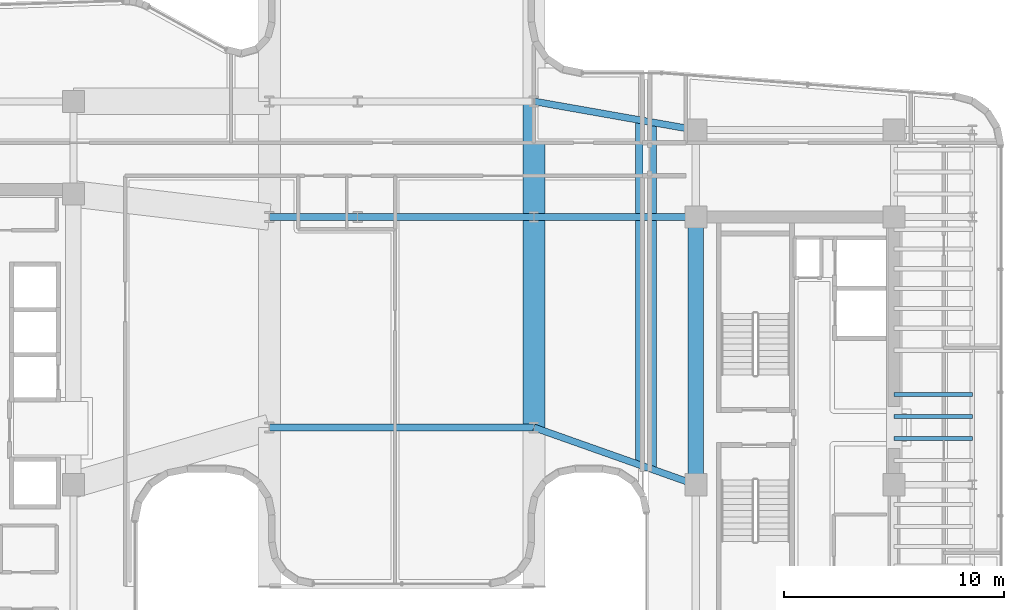
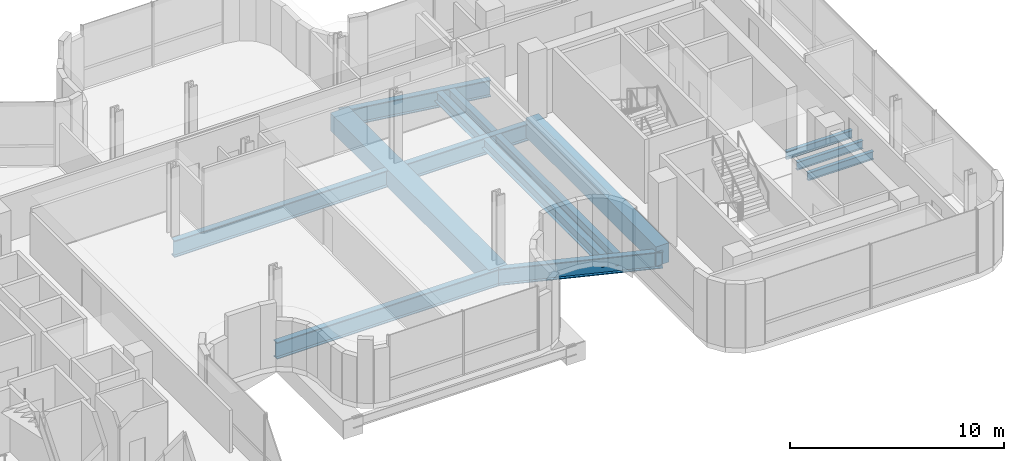
# One storey, part 14 of 37: 12 beams.
"""IFC4 building model written with IfcOpenShell, lengths in metres."""

from ifc_helpers import new_model, si_unit, direction, frame, origin, origin_2d, place, context, subcontext, project, spatial, rectangle, hollow_rectangle, i_section, extrude, source, transform, mapped, material, material_profile, profile_set, type_object, element, save


model = new_model("IFC4")

# Units and contexts
model_context = context("Model", 3, precision=1e-05, world=origin(), true_north=direction((0.0, 1.0)))
body_context = subcontext(model_context, "Body", "Model", "MODEL_VIEW")
ifc_project = project(units=[si_unit("LENGTHUNIT", "METRE"), si_unit("AREAUNIT", "SQUARE_METRE"), si_unit("VOLUMEUNIT", "CUBIC_METRE"), si_unit("PLANEANGLEUNIT", "RADIAN"), si_unit("MASSUNIT", "GRAM", prefix="KILO")], contexts=[model_context])

# Site, building, storey
site_placement = place(None, origin())
site = spatial("IfcSite", under=ifc_project, at=site_placement, CompositionType="ELEMENT")
building_placement = place(site_placement, origin())
building = spatial("IfcBuilding", under=site, at=building_placement, Name="Valdorenza Pilgrim Sanctuary Tower", CompositionType="ELEMENT")
storey_placement = place(building_placement, frame((0.0, 0.0, 188.39990234375)))
storey = spatial("IfcBuildingStorey", under=building, at=storey_placement, Name="L48", CompositionType="ELEMENT", Elevation=188.39990234375)

# Beams
ifc_material_1 = material(Name="Concrete C50/60", Category="concrete")
ifc_material_profile_1 = material_profile(ifc_material_1, rectangle(XDim=0.699951171875, YDim=1.10009765625, at=origin_2d()), Name="RC 1100x700")
ifc_profile_set_1 = profile_set([ifc_material_profile_1], Name="Concrete C50/60")
beam_type_1 = type_object("IfcBeamType", Name="STR-BM-LNT-1100", PredefinedType="LINTEL", material=ifc_profile_set_1)
shared_shape_1 = source(origin(), body_context, "Body", "SweptSolid", [
    extrude(rectangle(XDim=0.699951171875, YDim=1.10009765625, at=origin_2d()), origin(), (0.0, 0.0, 1.0), 12.150146484375),
])
beam_1_placement = place(storey_placement, frame((15.85009765625, -2.60009765625, -0.58984375), z_axis=(0.0, 1.0, 0.0), x_axis=(-1.0, 0.0, 0.0)))
element("IfcBeam", 1, at=beam_1_placement, inside=storey, type_object=beam_type_1, Name="L48 Core B West Coupling Lintel Girder", PredefinedType="LINTEL", context=body_context, shape_type="MappedRepresentation", body=[
    mapped(shared_shape_1, transform((0.0, 0.0, 0.0), x_axis=(1.0, 0.0, 0.0), y_axis=(0.0, 1.0, 0.0), z_axis=(0.0, 0.0, 1.0), scale=1.0)),
])
ifc_material_2 = material(Name="Steel ASTM A992 Grade 50", Category="steel")
ifc_material_profile_2 = material_profile(ifc_material_2, i_section(OverallWidth=0.19091796875, OverallDepth=0.45703125, WebThickness=0.009033203125, FlangeThickness=0.014404296875, at=origin_2d()), Name="W18X50")
ifc_profile_set_2 = profile_set([ifc_material_profile_2], Name="Steel ASTM A992 Grade 50")
beam_type_2 = type_object("IfcBeamType", Name="STR-BM-JST-W18B", PredefinedType="JOIST", material=ifc_profile_set_2)
shared_shape_2 = source(origin(), body_context, "Body", "SweptSolid", [
    extrude(i_section(OverallWidth=0.19091796875, OverallDepth=0.45703125, WebThickness=0.009033203125, FlangeThickness=0.014404296875, at=origin_2d()), origin(), (0.0, 0.0, 1.0), 3.5498046875),
])
for number, where, z_axis, x_axis, name in (
    (2, (24.85009765625, -0.5, -0.54833984375), (1.0, 0.0, 0.0), (0.0, 1.0, 0.0), "L48 Composite Floor Joist JST-WB-9"),
    (3, (24.85009765625, 0.5, -0.54833984375), (1.0, 0.0, 0.0), (0.0, 1.0, 0.0), "L48 Composite Floor Joist JST-WB-10"),
    (4, (24.85009765625, 1.5, -0.54833984375), (1.0, 0.0, 0.0), (0.0, 1.0, 0.0), "L48 Composite Floor Joist JST-WB-11"),
):
    element("IfcBeam", number, at=place(storey_placement, frame(where, z_axis=z_axis, x_axis=x_axis)), inside=storey, type_object=beam_type_2, Name=name, PredefinedType="JOIST", context=body_context, shape_type="MappedRepresentation", body=[
        mapped(shared_shape_2, transform((0.0, 0.0, 0.0), x_axis=(1.0, 0.0, 0.0), y_axis=(0.0, 1.0, 0.0), z_axis=(0.0, 0.0, 1.0), scale=1.0)),
    ])
ifc_material_profile_3 = material_profile(ifc_material_2, i_section(OverallWidth=0.323974609375, OverallDepth=0.611083984375, WebThickness=0.0126953125, FlangeThickness=0.01904296875, at=origin_2d()), Name="W24X104")
ifc_profile_set_3 = profile_set([ifc_material_profile_3], Name="Steel ASTM A992 Grade 50")
beam_type_3 = type_object("IfcBeamType", Name="STR-BM-GRD-W24B", PredefinedType="BEAM", material=ifc_profile_set_3)
shared_shape_3 = source(origin(), body_context, "Body", "SweptSolid", [
    extrude(i_section(OverallWidth=0.323974609375, OverallDepth=0.611083984375, WebThickness=0.0126953125, FlangeThickness=0.01904296875, at=origin_2d()), origin(), (0.0, 0.0, 1.0), 15.639892578125),
])
beam_2_placement = place(storey_placement, frame((13.280029296875, -1.68994140625, -0.62548828125), z_axis=(0.0, 1.0, 0.0), x_axis=(-1.0, 0.0, 0.0)))
element("IfcBeam", 5, at=beam_2_placement, inside=storey, type_object=beam_type_3, Name="L48 Bridge Joint Edge Header PRY-JNT-W", PredefinedType="BEAM", context=body_context, shape_type="MappedRepresentation", body=[
    mapped(shared_shape_3, transform((0.0, 0.0, 0.0), x_axis=(1.0, 0.0, 0.0), y_axis=(0.0, 1.0, 0.0), z_axis=(0.0, 0.0, 1.0), scale=1.0)),
])
shared_shape_4 = source(origin(), body_context, "Body", "SweptSolid", [
    extrude(i_section(OverallWidth=0.323974609375, OverallDepth=0.611083984375, WebThickness=0.0126953125, FlangeThickness=0.01904296875, at=origin_2d()), origin(), (0.0, 0.0, 1.0), 15.75),
])
beam_3_placement = place(storey_placement, frame((13.89990234375, -1.909912109375, -0.62548828125), z_axis=(0.0, 1.0, 0.0), x_axis=(-1.0, 0.0, 0.0)))
element("IfcBeam", 6, at=beam_3_placement, inside=storey, type_object=beam_type_3, Name="L48 Wing B Joint Edge Header PRY-JNT-E", PredefinedType="BEAM", context=body_context, shape_type="MappedRepresentation", body=[
    mapped(shared_shape_4, transform((0.0, 0.0, 0.0), x_axis=(1.0, 0.0, 0.0), y_axis=(0.0, 1.0, 0.0), z_axis=(0.0, 0.0, 1.0), scale=1.0)),
])
ifc_material_3 = material(Name="Steel ASTM A572 Grade 42", Category="steel")
ifc_material_profile_4 = material_profile(ifc_material_3, hollow_rectangle(XDim=1.0, YDim=1.0, WallThickness=0.080078125, at=origin_2d()), Name="BOX 1000x1000x80")
ifc_profile_set_4 = profile_set([ifc_material_profile_4], Name="Steel ASTM A572 Grade 42")
beam_type_4 = type_object("IfcBeamType", Name="STR-BM-PROW-CANT", PredefinedType="BEAM", material=ifc_profile_set_4)
shared_shape_5 = source(origin(), body_context, "Body", "SweptSolid", [
    extrude(hollow_rectangle(XDim=1.0, YDim=1.0, WallThickness=0.080078125, at=origin_2d()), origin(), (0.0, 0.0, 1.0), 14.800048828125),
])
beam_4_placement = place(storey_placement, frame((8.5, 0.0, -0.81982421875), z_axis=(0.0, 1.0, 0.0), x_axis=(-1.0, 0.0, 0.0)))
element("IfcBeam", 7, at=beam_4_placement, inside=storey, type_object=beam_type_4, Name="L48 Sanctuary Backspan Girder PROW-BACK-N-E", PredefinedType="BEAM", context=body_context, shape_type="MappedRepresentation", body=[
    mapped(shared_shape_5, transform((0.0, 0.0, 0.0), x_axis=(1.0, 0.0, 0.0), y_axis=(0.0, 1.0, 0.0), z_axis=(0.0, 0.0, 1.0), scale=1.0)),
])
ifc_material_profile_5 = material_profile(ifc_material_2, i_section(OverallWidth=0.31005859375, OverallDepth=0.949951171875, WebThickness=0.0244140625, FlangeThickness=0.0439453125, at=origin_2d()), Name="W36X256")
ifc_profile_set_5 = profile_set([ifc_material_profile_5], Name="Steel ASTM A992 Grade 50")
beam_type_5 = type_object("IfcBeamType", Name="STR-BM-GRD-W36B", PredefinedType="BEAM", material=ifc_profile_set_5)
shared_shape_6 = source(origin(), body_context, "Body", "SweptSolid", [
    extrude(i_section(OverallWidth=0.31005859375, OverallDepth=0.949951171875, WebThickness=0.0244140625, FlangeThickness=0.0439453125, at=origin_2d()), origin(), (0.0, 0.0, 1.0), 12.0),
])
for number, where, z_axis, x_axis, name in (
    (8, (-3.5, 0.0, -0.794921875), (1.0, 0.0, 0.0), (0.0, 1.0, 0.0), "L48 Portal Bridge Span Girder PRY-G2-P0"),
    (9, (-3.5, 9.550048828125, -0.794921875), (1.0, 0.0, 0.0), (0.0, 1.0, 0.0), "L48 Portal Bridge Span Girder PRY-G2-P9"),
):
    element("IfcBeam", number, at=place(storey_placement, frame(where, z_axis=z_axis, x_axis=x_axis)), inside=storey, type_object=beam_type_5, Name=name, PredefinedType="BEAM", context=body_context, shape_type="MappedRepresentation", body=[
        mapped(shared_shape_6, transform((0.0, 0.0, 0.0), x_axis=(1.0, 0.0, 0.0), y_axis=(0.0, 1.0, 0.0), z_axis=(0.0, 0.0, 1.0), scale=1.0)),
    ])
shared_shape_7 = source(origin(), body_context, "Body", "SweptSolid", [
    extrude(i_section(OverallWidth=0.31005859375, OverallDepth=0.949951171875, WebThickness=0.0244140625, FlangeThickness=0.0439453125, at=origin_2d()), origin(), (0.0, 0.0, 1.0), 7.79638671875),
])
beam_5_placement = place(storey_placement, frame((8.5, 0.0, -0.794921875), z_axis=(0.942750751534, -0.333498156641, 0.0), x_axis=(0.333498156641, 0.942750751534, 0.0)))
element("IfcBeam", 10, at=beam_5_placement, inside=storey, type_object=beam_type_5, Name="L48 Portal Bridge East Seat Girder PRY-G3-P0", PredefinedType="BEAM", context=body_context, shape_type="MappedRepresentation", body=[
    mapped(shared_shape_7, transform((0.0, 0.0, 0.0), x_axis=(1.0, 0.0, 0.0), y_axis=(0.0, 1.0, 0.0), z_axis=(0.0, 0.0, 1.0), scale=1.0)),
])
shared_shape_8 = source(origin(), body_context, "Body", "SweptSolid", [
    extrude(i_section(OverallWidth=0.31005859375, OverallDepth=0.949951171875, WebThickness=0.0244140625, FlangeThickness=0.0439453125, at=origin_2d()), origin(), (0.0, 0.0, 1.0), 7.35009765625),
])
beam_6_placement = place(storey_placement, frame((8.5, 9.550048828125, -0.794921875), z_axis=(1.0, 0.0, 0.0), x_axis=(0.0, 1.0, 0.0)))
element("IfcBeam", 11, at=beam_6_placement, inside=storey, type_object=beam_type_5, Name="L48 Portal Bridge East Seat Girder PRY-G3-P9", PredefinedType="BEAM", context=body_context, shape_type="MappedRepresentation", body=[
    mapped(shared_shape_8, transform((0.0, 0.0, 0.0), x_axis=(1.0, 0.0, 0.0), y_axis=(0.0, 1.0, 0.0), z_axis=(0.0, 0.0, 1.0), scale=1.0)),
])
shared_shape_9 = source(origin(), body_context, "Body", "SweptSolid", [
    extrude(i_section(OverallWidth=0.31005859375, OverallDepth=0.949951171875, WebThickness=0.0244140625, FlangeThickness=0.0439453125, at=origin_2d()), origin(), (0.0, 0.0, 1.0), 7.464111328125),
])
beam_7_placement = place(storey_placement, frame((8.5, 14.800048828125, -0.794921875), z_axis=(0.984715322541, -0.17417156356, 0.0), x_axis=(0.17417156356, 0.984715322541, 0.0)))
element("IfcBeam", 12, at=beam_7_placement, inside=storey, type_object=beam_type_5, Name="L48 Portal Bridge East Seat Girder PRY-G3-P14", PredefinedType="BEAM", context=body_context, shape_type="MappedRepresentation", body=[
    mapped(shared_shape_9, transform((0.0, 0.0, 0.0), x_axis=(1.0, 0.0, 0.0), y_axis=(0.0, 1.0, 0.0), z_axis=(0.0, 0.0, 1.0), scale=1.0)),
])

save(model, "model.ifc")
